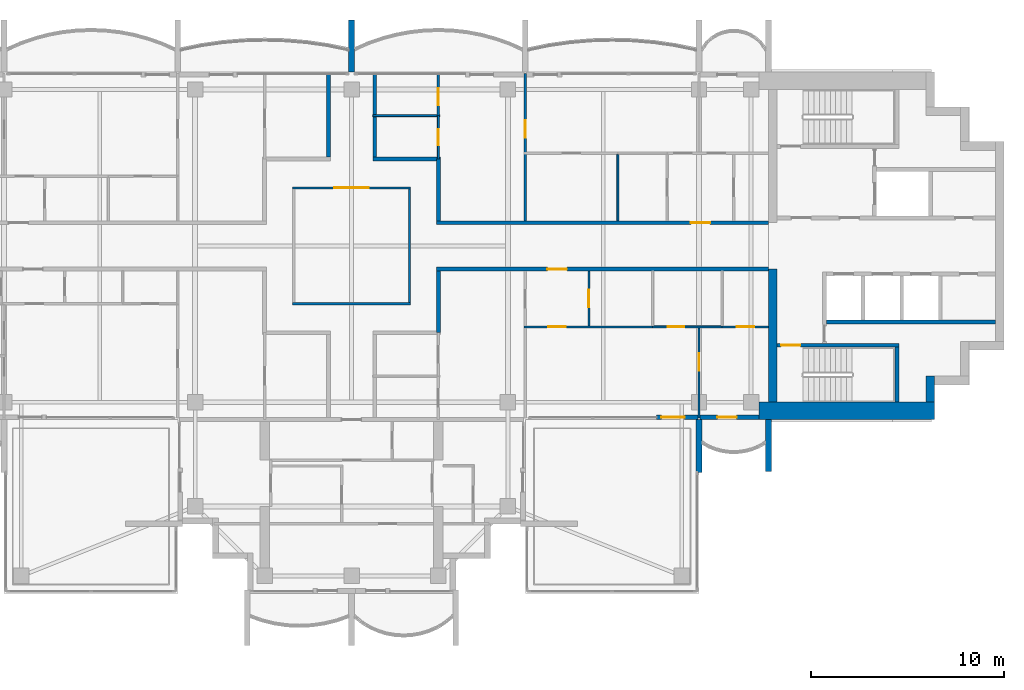
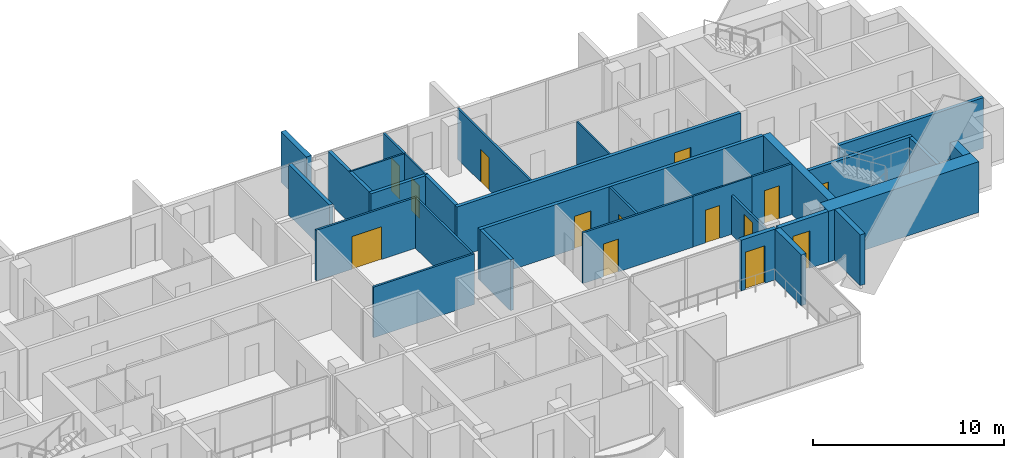
# One storey, part 10 of 16: 31 walls, 14 doors, 14 openings.
"""IFC4 building model written with IfcOpenShell, lengths in metres."""

from ifc_helpers import new_model, si_unit, direction, frame, frame_2d, origin, place, context, subcontext, project, spatial, rectangle, extrude, material, layer, layer_set, type_object, element, fill, save


model = new_model("IFC4")

# Units and contexts
model_context = context("Model", 3, precision=1e-05, world=origin(), true_north=direction((0.0, 1.0)))
body_context = subcontext(model_context, "Body", "Model", "MODEL_VIEW")
ifc_project = project(units=[si_unit("LENGTHUNIT", "METRE"), si_unit("AREAUNIT", "SQUARE_METRE"), si_unit("VOLUMEUNIT", "CUBIC_METRE"), si_unit("PLANEANGLEUNIT", "RADIAN"), si_unit("MASSUNIT", "GRAM", prefix="KILO")], contexts=[model_context])

# Site, building, storey
site_placement = place(None, origin())
site = spatial("IfcSite", under=ifc_project, at=site_placement, CompositionType="ELEMENT")
building_placement = place(site_placement, origin())
building = spatial("IfcBuilding", under=site, at=building_placement, Name="Perihelion Cross Residences", CompositionType="ELEMENT")
storey_placement = place(building_placement, frame((0.0, 0.0, 271.0)))
storey = spatial("IfcBuildingStorey", under=building, at=storey_placement, Name="L69", CompositionType="ELEMENT", Elevation=271.0)

# Wall, opening, door
ifc_material_1 = material(Name="Plasterboard partition")
ifc_layer_1 = layer(ifc_material_1, 0.199951171875)
ifc_layer_set_1 = layer_set([ifc_layer_1], Name="Apartment separation wall 200")
wall_type_1 = type_object("IfcWallType", Name="Apartment separation wall 200", PredefinedType="PARTITIONING", material=ifc_layer_set_1)
wall_1_placement = place(storey_placement, frame((4.39990234375, 1.199951171875, 0.0), z_axis=(0.0, 0.0, 1.0), x_axis=(1.0, 0.0, 0.0)))
wall_1 = element("IfcWall", 1, at=wall_1_placement, inside=storey, type_object=wall_type_1, Name="Partition L69 W005", PredefinedType="PARTITIONING", context=body_context, shape_type="SweptSolid", body=[
    extrude(rectangle(XDim=17.2001953125, YDim=0.199951171875, at=frame_2d((8.60009765625, 0.0))), origin(), (0.0, 0.0, 1.0), 3.25),
])
opening_1_placement = place(wall_1_placement, frame((13.175048828125, 0.0, 0.0)))
opening_1 = element("IfcOpeningElement", 2, at=opening_1_placement, cuts=wall_1, Name="Opening L69.A40", PredefinedType="OPENING", context=body_context, shape_type="SweptSolid", body=[
    extrude(rectangle(XDim=1.0, YDim=2.10009765625, at=frame_2d((0.5, 1.050048828125))), frame((0.0, 0.10986328125, 0.0), z_axis=(0.0, -1.0, 0.0), x_axis=(1.0, 0.0, 0.0)), (0.0, 0.0, 1.0), 0.219970703125),
])
ifc_material_2 = material(Name="Timber door leaf", Category="wood")
door_type_1 = type_object("IfcDoorType", Name="Flat entrance door 1000 x 2100", OperationType="SINGLE_SWING_LEFT", PredefinedType="DOOR", material=ifc_material_2)
door_1_placement = place(opening_1_placement, origin())
door_1 = element("IfcDoor", 3, at=door_1_placement, inside=storey, type_object=door_type_1, Name="Door L69.A40", OperationType="SINGLE_SWING_LEFT", OverallHeight=2.10009765625, OverallWidth=1.0, PredefinedType="DOOR", context=body_context, shape_type="SweptSolid", body=[
    extrude(rectangle(XDim=1.0, YDim=2.10009765625, at=frame_2d((0.5, 1.050048828125))), frame((0.0, 0.02490234375, 0.0), z_axis=(0.0, -1.0, 0.0), x_axis=(1.0, 0.0, 0.0)), (0.0, 0.0, 1.0), 0.050048828125),
])
fill(opening_1, door_1)

# Walls
wall_2_placement = place(storey_placement, frame((4.5, 4.5, 0.0), z_axis=(0.0, 0.0, 1.0), x_axis=(0.0, -1.0, 0.0)))
element("IfcWall", 4, at=wall_2_placement, inside=storey, type_object=wall_type_1, Name="Partition L69 W006", PredefinedType="PARTITIONING", context=body_context, shape_type="SweptSolid", body=[
    extrude(rectangle(XDim=3.199951171875, YDim=0.199951171875, at=frame_2d((1.60009765625, 0.0))), origin(), (0.0, 0.0, 1.0), 3.25),
])
wall_3_placement = place(storey_placement, frame((1.199951171875, 8.919921875, 0.0), z_axis=(0.0, 0.0, 1.0), x_axis=(0.0, -1.0, 0.0)))
element("IfcWall", 5, at=wall_3_placement, inside=storey, type_object=wall_type_1, Name="Partition L69 W007", PredefinedType="PARTITIONING", context=body_context, shape_type="SweptSolid", body=[
    extrude(rectangle(XDim=4.31982421875, YDim=0.199951171875, at=frame_2d((2.159912109375, 0.0))), origin(), (0.0, 0.0, 1.0), 3.25),
])
wall_4_placement = place(storey_placement, frame((1.10009765625, 4.5, 0.0), z_axis=(0.0, 0.0, 1.0), x_axis=(1.0, 0.0, 0.0)))
element("IfcWall", 6, at=wall_4_placement, inside=storey, type_object=wall_type_1, Name="Partition L69 W008", PredefinedType="PARTITIONING", context=body_context, shape_type="SweptSolid", body=[
    extrude(rectangle(XDim=3.5, YDim=0.199951171875, at=frame_2d((1.75, 0.0))), origin(), (0.0, 0.0, 1.0), 3.25),
])

# Wall, opening, door
wall_5_placement = place(storey_placement, frame((21.60009765625, -1.199951171875, 0.0), z_axis=(0.0, 0.0, 1.0), x_axis=(-1.0, 0.0, 0.0)))
wall_5 = element("IfcWall", 7, at=wall_5_placement, inside=storey, type_object=wall_type_1, Name="Partition L69 W009", PredefinedType="PARTITIONING", context=body_context, shape_type="SweptSolid", body=[
    extrude(rectangle(XDim=17.2001953125, YDim=0.199951171875, at=frame_2d((8.60009765625, 0.0))), origin(), (0.0, 0.0, 1.0), 3.25),
])
opening_2_placement = place(wall_5_placement, frame((10.449951171875, 0.0, 0.0)))
opening_2 = element("IfcOpeningElement", 8, at=opening_2_placement, cuts=wall_5, Name="Opening L69.A41", PredefinedType="OPENING", context=body_context, shape_type="SweptSolid", body=[
    extrude(rectangle(XDim=1.0, YDim=2.10009765625, at=frame_2d((0.5, 1.050048828125))), frame((0.0, 0.10986328125, 0.0), z_axis=(0.0, -1.0, 0.0), x_axis=(1.0, 0.0, 0.0)), (0.0, 0.0, 1.0), 0.219970703125),
])
door_2_placement = place(opening_2_placement, origin())
door_2 = element("IfcDoor", 9, at=door_2_placement, inside=storey, type_object=door_type_1, Name="Door L69.A41", OperationType="SINGLE_SWING_LEFT", OverallHeight=2.10009765625, OverallWidth=1.0, PredefinedType="DOOR", context=body_context, shape_type="SweptSolid", body=[
    extrude(rectangle(XDim=1.0, YDim=2.10009765625, at=frame_2d((0.5, 1.050048828125))), frame((0.0, 0.02490234375, 0.0), z_axis=(0.0, -1.0, 0.0), x_axis=(1.0, 0.0, 0.0)), (0.0, 0.0, 1.0), 0.050048828125),
])
fill(opening_2, door_2)

# Walls
wall_6_placement = place(storey_placement, frame((4.5, -1.300048828125, 0.0), z_axis=(0.0, 0.0, 1.0), x_axis=(0.0, -1.0, 0.0)))
element("IfcWall", 10, at=wall_6_placement, inside=storey, type_object=wall_type_1, Name="Partition L69 W010", PredefinedType="PARTITIONING", context=body_context, shape_type="SweptSolid", body=[
    extrude(rectangle(XDim=3.199951171875, YDim=0.199951171875, at=frame_2d((1.60009765625, 0.0))), origin(), (0.0, 0.0, 1.0), 3.25),
])
wall_7_placement = place(storey_placement, frame((-1.199951171875, 4.60009765625, 0.0), z_axis=(0.0, 0.0, 1.0), x_axis=(0.0, 1.0, 0.0)))
element("IfcWall", 11, at=wall_7_placement, inside=storey, type_object=wall_type_1, Name="Partition L69 W016", PredefinedType="PARTITIONING", context=body_context, shape_type="SweptSolid", body=[
    extrude(rectangle(XDim=4.31982421875, YDim=0.199951171875, at=frame_2d((2.159912109375, 0.0))), origin(), (0.0, 0.0, 1.0), 3.25),
])

# Wall, opening, door
ifc_material_3 = material(Name="Concrete C30/37, bronze-clad", Category="concrete")
ifc_layer_2 = layer(ifc_material_3, 0.25)
ifc_layer_set_2 = layer_set([ifc_layer_2], Name="Bronze-clad pier wall 250")
wall_type_2 = type_object("IfcWallType", Name="Bronze-clad pier wall 250", PredefinedType="SOLIDWALL", material=ifc_layer_set_2)
wall_8_placement = place(storey_placement, frame((15.800048828125, -8.875, 0.0), z_axis=(0.0, 0.0, 1.0), x_axis=(1.0, 0.0, 0.0)))
wall_8 = element("IfcWall", 12, at=wall_8_placement, inside=storey, type_object=wall_type_2, Name="Wall FW1 L69 east side south bay 1 pier", PredefinedType="SOLIDWALL", context=body_context, shape_type="SweptSolid", body=[
    extrude(rectangle(XDim=2.139892578125, YDim=0.25, at=frame_2d((1.06982421875, 0.0))), origin(), (0.0, 0.0, 1.0), 3.25),
])
opening_3_placement = place(wall_8_placement, frame((0.25, 0.0, 0.0)))
opening_3 = element("IfcOpeningElement", 13, at=opening_3_placement, cuts=wall_8, Name="Opening L69.E13", PredefinedType="OPENING", context=body_context, shape_type="SweptSolid", body=[
    extrude(rectangle(XDim=1.199951171875, YDim=2.39990234375, at=frame_2d((0.60009765625, 1.199951171875))), frame((0.0, 0.135009765625, 0.0), z_axis=(0.0, -1.0, 0.0), x_axis=(1.0, 0.0, 0.0)), (0.0, 0.0, 1.0), 0.27001953125),
])
ifc_material_4 = material(Name="Bronze anodised aluminium, glazed", Category="aluminium")
door_type_2 = type_object("IfcDoorType", Name="Balcony door 1200 x 2400", OperationType="NOTDEFINED", PredefinedType="DOOR", material=ifc_material_4)
door_3_placement = place(opening_3_placement, origin())
door_3 = element("IfcDoor", 14, at=door_3_placement, inside=storey, type_object=door_type_2, Name="Door L69.E13 east side south bay 1", OperationType="SINGLE_SWING_LEFT", OverallHeight=2.39990234375, OverallWidth=1.199951171875, PredefinedType="DOOR", context=body_context, shape_type="SweptSolid", body=[
    extrude(rectangle(XDim=1.199951171875, YDim=2.39990234375, at=frame_2d((0.60009765625, 1.199951171875))), frame((0.0, 0.02490234375, 0.0), z_axis=(0.0, -1.0, 0.0), x_axis=(1.0, 0.0, 0.0)), (0.0, 0.0, 1.0), 0.050048828125),
])
fill(opening_3, door_3)

wall_9_placement = place(storey_placement, frame((18.06005859375, -8.875, 0.0), z_axis=(0.0, 0.0, 1.0), x_axis=(1.0, 0.0, 0.0)))
wall_9 = element("IfcWall", 15, at=wall_9_placement, inside=storey, type_object=wall_type_2, Name="Wall FW1 L69 east side south bay 2 pier", PredefinedType="SOLIDWALL", context=body_context, shape_type="SweptSolid", body=[
    extrude(rectangle(XDim=3.0400390625, YDim=0.25, at=frame_2d((1.52001953125, 0.0))), origin(), (0.0, 0.0, 1.0), 3.25),
])
opening_4_placement = place(wall_9_placement, frame((0.889892578125, 0.0, 0.0)))
opening_4 = element("IfcOpeningElement", 16, at=opening_4_placement, cuts=wall_9, Name="Opening L69.E14", PredefinedType="OPENING", context=body_context, shape_type="SweptSolid", body=[
    extrude(rectangle(XDim=1.0, YDim=2.39990234375, at=frame_2d((0.5, 1.199951171875))), frame((0.0, 0.135009765625, 0.0), z_axis=(0.0, -1.0, 0.0), x_axis=(1.0, 0.0, 0.0)), (0.0, 0.0, 1.0), 0.27001953125),
])
ifc_material_5 = material(Name="Bronze anodised aluminium, glazed", Category="aluminium")
door_type_3 = type_object("IfcDoorType", Name="Balcony door 1000 x 2400", OperationType="NOTDEFINED", PredefinedType="DOOR", material=ifc_material_5)
door_4_placement = place(opening_4_placement, origin())
door_4 = element("IfcDoor", 17, at=door_4_placement, inside=storey, type_object=door_type_3, Name="Door L69.E14 east side south bay 2", OperationType="SINGLE_SWING_RIGHT", OverallHeight=2.39990234375, OverallWidth=1.0, PredefinedType="DOOR", context=body_context, shape_type="SweptSolid", body=[
    extrude(rectangle(XDim=1.0, YDim=2.39990234375, at=frame_2d((0.5, 1.199951171875))), frame((0.0, 0.02490234375, 0.0), z_axis=(0.0, -1.0, 0.0), x_axis=(1.0, 0.0, 0.0)), (0.0, 0.0, 1.0), 0.050048828125),
])
fill(opening_4, door_4)

# Walls
ifc_material_6 = material(Name="Concrete C60/75", Category="concrete")
ifc_layer_3 = layer(ifc_material_6, 0.449951171875)
ifc_layer_set_3 = layer_set([ifc_layer_3], Name="Core wall, inner 450")
wall_type_3 = type_object("IfcWallType", Name="Core wall, inner 450", PredefinedType="SHEAR", material=ifc_layer_set_3)
wall_10_placement = place(storey_placement, frame((21.824951171875, -8.10009765625, 0.0), z_axis=(0.0, 0.0, 1.0), x_axis=(0.0, 1.0, 0.0)))
element("IfcWall", 18, at=wall_10_placement, inside=storey, type_object=wall_type_3, Name="East core core wall, inner", PredefinedType="SHEAR", context=body_context, shape_type="SweptSolid", body=[
    extrude(rectangle(XDim=6.900146484375, YDim=0.449951171875, at=frame_2d((3.4501953125, 0.0))), origin(), (0.0, 0.0, 1.0), 3.25),
])
ifc_material_7 = material(Name="Concrete C60/75", Category="concrete")
ifc_layer_4 = layer(ifc_material_7, 0.449951171875)
ifc_layer_set_4 = layer_set([ifc_layer_4], Name="Core wall, outer 450")
wall_type_4 = type_object("IfcWallType", Name="Core wall, outer 450", PredefinedType="SHEAR", material=ifc_layer_set_4)
wall_11_placement = place(storey_placement, frame((29.97509765625, -8.10009765625, 0.0), z_axis=(0.0, 0.0, 1.0), x_axis=(0.0, 1.0, 0.0)))
element("IfcWall", 19, at=wall_11_placement, inside=storey, type_object=wall_type_4, Name="East core core wall, outer", PredefinedType="SHEAR", context=body_context, shape_type="SweptSolid", body=[
    extrude(rectangle(XDim=1.35009765625, YDim=0.449951171875, at=frame_2d((0.675048828125, 0.0))), origin(), (0.0, 0.0, 1.0), 3.25),
])
ifc_material_8 = material(Name="Concrete C60/75", Category="concrete")
ifc_layer_5 = layer(ifc_material_8, 0.89990234375)
ifc_layer_set_5 = layer_set([ifc_layer_5], Name="Core wall, outer 900")
wall_type_5 = type_object("IfcWallType", Name="Core wall, outer 900", PredefinedType="SHEAR", material=ifc_layer_set_5)
wall_12_placement = place(storey_placement, frame((21.10009765625, -8.550048828125, 0.0), z_axis=(0.0, 0.0, 1.0), x_axis=(1.0, 0.0, 0.0)))
element("IfcWall", 20, at=wall_12_placement, inside=storey, type_object=wall_type_5, Name="East core core wall, outer", PredefinedType="SHEAR", context=body_context, shape_type="SweptSolid", body=[
    extrude(rectangle(XDim=9.099853515625, YDim=0.89990234375, at=frame_2d((4.5498046875, 0.0))), origin(), (0.0, 0.0, 1.0), 3.25),
])
ifc_material_9 = material(Name="Plasterboard partition")
ifc_layer_6 = layer(ifc_material_9, 0.1201171875)
ifc_layer_set_6 = layer_set([ifc_layer_6], Name="Partition wall 120")
wall_type_6 = type_object("IfcWallType", Name="Partition wall 120", PredefinedType="PARTITIONING", material=ifc_layer_set_6)
wall_13_placement = place(storey_placement, frame((-3.06005859375, -3.0, 0.0), z_axis=(0.0, 0.0, 1.0), x_axis=(1.0, 0.0, 0.0)))
element("IfcWall", 21, at=wall_13_placement, inside=storey, type_object=wall_type_6, Name="Partition L69 W001", PredefinedType="PARTITIONING", context=body_context, shape_type="SweptSolid", body=[
    extrude(rectangle(XDim=6.1201171875, YDim=0.1201171875, at=frame_2d((3.06005859375, 0.0))), origin(), (0.0, 0.0, 1.0), 3.25),
])
wall_14_placement = place(storey_placement, frame((3.0, -2.93994140625, 0.0), z_axis=(0.0, 0.0, 1.0), x_axis=(0.0, 1.0, 0.0)))
element("IfcWall", 22, at=wall_14_placement, inside=storey, type_object=wall_type_6, Name="Partition L69 W002", PredefinedType="PARTITIONING", context=body_context, shape_type="SweptSolid", body=[
    extrude(rectangle(XDim=5.8798828125, YDim=0.1201171875, at=frame_2d((2.93994140625, 0.0))), origin(), (0.0, 0.0, 1.0), 3.25),
])

# Wall, opening, door
wall_15_placement = place(storey_placement, frame((3.06005859375, 3.0, 0.0), z_axis=(0.0, 0.0, 1.0), x_axis=(-1.0, 0.0, 0.0)))
wall_15 = element("IfcWall", 23, at=wall_15_placement, inside=storey, type_object=wall_type_6, Name="Partition L69 W003", PredefinedType="PARTITIONING", context=body_context, shape_type="SweptSolid", body=[
    extrude(rectangle(XDim=6.1201171875, YDim=0.1201171875, at=frame_2d((3.06005859375, 0.0))), origin(), (0.0, 0.0, 1.0), 3.25),
])
opening_5_placement = place(wall_15_placement, frame((2.159912109375, 0.0, 0.0)))
opening_5 = element("IfcOpeningElement", 24, at=opening_5_placement, cuts=wall_15, Name="Opening L69.A01", PredefinedType="OPENING", context=body_context, shape_type="SweptSolid", body=[
    extrude(rectangle(XDim=1.800048828125, YDim=2.10009765625, at=frame_2d((0.89990234375, 1.050048828125))), frame((0.0, 0.070068359375, 0.0), z_axis=(0.0, -1.0, 0.0), x_axis=(1.0, 0.0, 0.0)), (0.0, 0.0, 1.0), 0.14013671875),
])
ifc_material_10 = material(Name="Glazed timber door leaf", Category="wood")
door_type_4 = type_object("IfcDoorType", Name="Interior double leaf door 1800 x 2100", OperationType="DOUBLE_DOOR_SINGLE_SWING", PredefinedType="DOOR", material=ifc_material_10)
door_5_placement = place(opening_5_placement, origin())
door_5 = element("IfcDoor", 25, at=door_5_placement, inside=storey, type_object=door_type_4, Name="Door L69.A01", OperationType="SINGLE_SWING_LEFT", OverallHeight=2.10009765625, OverallWidth=1.800048828125, PredefinedType="DOOR", context=body_context, shape_type="SweptSolid", body=[
    extrude(rectangle(XDim=1.800048828125, YDim=2.10009765625, at=frame_2d((0.89990234375, 1.050048828125))), frame((0.0, 0.02490234375, 0.0), z_axis=(0.0, -1.0, 0.0), x_axis=(1.0, 0.0, 0.0)), (0.0, 0.0, 1.0), 0.050048828125),
])
fill(opening_5, door_5)

wall_16_placement = place(storey_placement, frame((9.0, 1.300048828125, 0.0), z_axis=(0.0, 0.0, 1.0), x_axis=(0.0, 1.0, 0.0)))
wall_16 = element("IfcWall", 26, at=wall_16_placement, inside=storey, type_object=wall_type_6, Name="Partition L69 W024", PredefinedType="PARTITIONING", context=body_context, shape_type="SweptSolid", body=[
    extrude(rectangle(XDim=7.619873046875, YDim=0.1201171875, at=frame_2d((3.81005859375, 0.0))), origin(), (0.0, 0.0, 1.0), 3.25),
])
opening_6_placement = place(wall_16_placement, frame((4.300048828125, 0.0, 0.0)))
opening_6 = element("IfcOpeningElement", 27, at=opening_6_placement, cuts=wall_16, Name="Opening L69.A04", PredefinedType="OPENING", context=body_context, shape_type="SweptSolid", body=[
    extrude(rectangle(XDim=0.89990234375, YDim=2.10009765625, at=frame_2d((0.449951171875, 1.050048828125))), frame((0.0, 0.070068359375, 0.0), z_axis=(0.0, -1.0, 0.0), x_axis=(1.0, 0.0, 0.0)), (0.0, 0.0, 1.0), 0.14013671875),
])
ifc_material_11 = material(Name="Timber door leaf", Category="wood")
door_type_5 = type_object("IfcDoorType", Name="Interior room door 900 x 2100", OperationType="SINGLE_SWING_LEFT", PredefinedType="DOOR", material=ifc_material_11)
door_6_placement = place(opening_6_placement, origin())
door_6 = element("IfcDoor", 28, at=door_6_placement, inside=storey, type_object=door_type_5, Name="Door L69.A04", OperationType="SINGLE_SWING_RIGHT", OverallHeight=2.10009765625, OverallWidth=0.89990234375, PredefinedType="DOOR", context=body_context, shape_type="SweptSolid", body=[
    extrude(rectangle(XDim=0.89990234375, YDim=2.10009765625, at=frame_2d((0.449951171875, 1.050048828125))), frame((0.0, 0.02490234375, 0.0), z_axis=(0.0, -1.0, 0.0), x_axis=(1.0, 0.0, 0.0)), (0.0, 0.0, 1.0), 0.050048828125),
])
fill(opening_6, door_6)

wall_17_placement = place(storey_placement, frame((4.5, 6.75, 0.0), z_axis=(0.0, 0.0, 1.0), x_axis=(0.0, 1.0, 0.0)))
wall_17 = element("IfcWall", 29, at=wall_17_placement, inside=storey, type_object=wall_type_6, Name="Partition L69 W031", PredefinedType="PARTITIONING", context=body_context, shape_type="SweptSolid", body=[
    extrude(rectangle(XDim=2.169921875, YDim=0.1201171875, at=frame_2d((1.0849609375, 0.0))), origin(), (0.0, 0.0, 1.0), 3.25),
])
opening_7_placement = place(wall_17_placement, frame((0.52490234375, 0.0, 0.0)))
opening_7 = element("IfcOpeningElement", 30, at=opening_7_placement, cuts=wall_17, Name="Opening L69.A06", PredefinedType="OPENING", context=body_context, shape_type="SweptSolid", body=[
    extrude(rectangle(XDim=0.89990234375, YDim=2.10009765625, at=frame_2d((0.449951171875, 1.050048828125))), frame((0.0, 0.070068359375, 0.0), z_axis=(0.0, -1.0, 0.0), x_axis=(1.0, 0.0, 0.0)), (0.0, 0.0, 1.0), 0.14013671875),
])
door_7_placement = place(opening_7_placement, origin())
door_7 = element("IfcDoor", 31, at=door_7_placement, inside=storey, type_object=door_type_5, Name="Door L69.A06", OperationType="SINGLE_SWING_RIGHT", OverallHeight=2.10009765625, OverallWidth=0.89990234375, PredefinedType="DOOR", context=body_context, shape_type="SweptSolid", body=[
    extrude(rectangle(XDim=0.89990234375, YDim=2.10009765625, at=frame_2d((0.449951171875, 1.050048828125))), frame((0.0, 0.02490234375, 0.0), z_axis=(0.0, -1.0, 0.0), x_axis=(1.0, 0.0, 0.0)), (0.0, 0.0, 1.0), 0.050048828125),
])
fill(opening_7, door_7)

wall_18_placement = place(storey_placement, frame((12.300048828125, -1.300048828125, 0.0), z_axis=(0.0, 0.0, 1.0), x_axis=(0.0, -1.0, 0.0)))
wall_18 = element("IfcWall", 32, at=wall_18_placement, inside=storey, type_object=wall_type_6, Name="Partition L69 W033", PredefinedType="PARTITIONING", context=body_context, shape_type="SweptSolid", body=[
    extrude(rectangle(XDim=2.83984375, YDim=0.1201171875, at=frame_2d((1.419921875, 0.0))), origin(), (0.0, 0.0, 1.0), 3.25),
])
opening_8_placement = place(wall_18_placement, frame((0.969970703125, 0.0, 0.0)))
opening_8 = element("IfcOpeningElement", 33, at=opening_8_placement, cuts=wall_18, Name="Opening L69.A13", PredefinedType="OPENING", context=body_context, shape_type="SweptSolid", body=[
    extrude(rectangle(XDim=0.89990234375, YDim=2.10009765625, at=frame_2d((0.449951171875, 1.050048828125))), frame((0.0, 0.070068359375, 0.0), z_axis=(0.0, -1.0, 0.0), x_axis=(1.0, 0.0, 0.0)), (0.0, 0.0, 1.0), 0.14013671875),
])
door_8_placement = place(opening_8_placement, origin())
door_8 = element("IfcDoor", 34, at=door_8_placement, inside=storey, type_object=door_type_5, Name="Door L69.A13", OperationType="SINGLE_SWING_LEFT", OverallHeight=2.10009765625, OverallWidth=0.89990234375, PredefinedType="DOOR", context=body_context, shape_type="SweptSolid", body=[
    extrude(rectangle(XDim=0.89990234375, YDim=2.10009765625, at=frame_2d((0.449951171875, 1.050048828125))), frame((0.0, 0.02490234375, 0.0), z_axis=(0.0, -1.0, 0.0), x_axis=(1.0, 0.0, 0.0)), (0.0, 0.0, 1.0), 0.050048828125),
])
fill(opening_8, door_8)

wall_19_placement = place(storey_placement, frame((15.60009765625, -4.199951171875, 0.0), z_axis=(0.0, 0.0, 1.0), x_axis=(-1.0, 0.0, 0.0)))
wall_19 = element("IfcWall", 35, at=wall_19_placement, inside=storey, type_object=wall_type_6, Name="Partition L69 W034", PredefinedType="PARTITIONING", context=body_context, shape_type="SweptSolid", body=[
    extrude(rectangle(XDim=6.66015625, YDim=0.1201171875, at=frame_2d((3.330078125, 0.0))), origin(), (0.0, 0.0, 1.0), 3.25),
])
opening_9_placement = place(wall_19_placement, frame((4.5, 0.0, 0.0)))
opening_9 = element("IfcOpeningElement", 36, at=opening_9_placement, cuts=wall_19, Name="Opening L69.A15", PredefinedType="OPENING", context=body_context, shape_type="SweptSolid", body=[
    extrude(rectangle(XDim=0.89990234375, YDim=2.10009765625, at=frame_2d((0.449951171875, 1.050048828125))), frame((0.0, 0.070068359375, 0.0), z_axis=(0.0, -1.0, 0.0), x_axis=(1.0, 0.0, 0.0)), (0.0, 0.0, 1.0), 0.14013671875),
])
door_9_placement = place(opening_9_placement, origin())
door_9 = element("IfcDoor", 37, at=door_9_placement, inside=storey, type_object=door_type_5, Name="Door L69.A15", OperationType="SINGLE_SWING_LEFT", OverallHeight=2.10009765625, OverallWidth=0.89990234375, PredefinedType="DOOR", context=body_context, shape_type="SweptSolid", body=[
    extrude(rectangle(XDim=0.89990234375, YDim=2.10009765625, at=frame_2d((0.449951171875, 1.050048828125))), frame((0.0, 0.02490234375, 0.0), z_axis=(0.0, -1.0, 0.0), x_axis=(1.0, 0.0, 0.0)), (0.0, 0.0, 1.0), 0.050048828125),
])
fill(opening_9, door_9)

wall_20_placement = place(storey_placement, frame((21.60009765625, -4.199951171875, 0.0), z_axis=(0.0, 0.0, 1.0), x_axis=(-1.0, 0.0, 0.0)))
wall_20 = element("IfcWall", 38, at=wall_20_placement, inside=storey, type_object=wall_type_6, Name="Partition L69 W039", PredefinedType="PARTITIONING", context=body_context, shape_type="SweptSolid", body=[
    extrude(rectangle(XDim=2.400146484375, YDim=0.1201171875, at=frame_2d((1.2001953125, 0.0))), origin(), (0.0, 0.0, 1.0), 3.25),
])
opening_10_placement = place(wall_20_placement, frame((0.75, 0.0, 0.0)))
opening_10 = element("IfcOpeningElement", 39, at=opening_10_placement, cuts=wall_20, Name="Opening L69.A16", PredefinedType="OPENING", context=body_context, shape_type="SweptSolid", body=[
    extrude(rectangle(XDim=0.89990234375, YDim=2.10009765625, at=frame_2d((0.449951171875, 1.050048828125))), frame((0.0, 0.070068359375, 0.0), z_axis=(0.0, -1.0, 0.0), x_axis=(1.0, 0.0, 0.0)), (0.0, 0.0, 1.0), 0.14013671875),
])
door_10_placement = place(opening_10_placement, origin())
door_10 = element("IfcDoor", 40, at=door_10_placement, inside=storey, type_object=door_type_5, Name="Door L69.A16", OperationType="SINGLE_SWING_RIGHT", OverallHeight=2.10009765625, OverallWidth=0.89990234375, PredefinedType="DOOR", context=body_context, shape_type="SweptSolid", body=[
    extrude(rectangle(XDim=0.89990234375, YDim=2.10009765625, at=frame_2d((0.449951171875, 1.050048828125))), frame((0.0, 0.02490234375, 0.0), z_axis=(0.0, -1.0, 0.0), x_axis=(1.0, 0.0, 0.0)), (0.0, 0.0, 1.0), 0.050048828125),
])
fill(opening_10, door_10)

wall_21_placement = place(storey_placement, frame((18.0, -4.25, 0.0), z_axis=(0.0, 0.0, 1.0), x_axis=(0.0, -1.0, 0.0)))
wall_21 = element("IfcWall", 41, at=wall_21_placement, inside=storey, type_object=wall_type_6, Name="Partition L69 W040", PredefinedType="PARTITIONING", context=body_context, shape_type="SweptSolid", body=[
    extrude(rectangle(XDim=4.669921875, YDim=0.1201171875, at=frame_2d((2.3349609375, 0.0))), origin(), (0.0, 0.0, 1.0), 2.49609375),
])
opening_11_placement = place(wall_21_placement, frame((1.324951171875, 0.0, 0.0)))
opening_11 = element("IfcOpeningElement", 42, at=opening_11_placement, cuts=wall_21, Name="Opening L69.A10", PredefinedType="OPENING", context=body_context, shape_type="SweptSolid", body=[
    extrude(rectangle(XDim=0.89990234375, YDim=2.10009765625, at=frame_2d((0.449951171875, 1.050048828125))), frame((0.0, 0.070068359375, 0.0), z_axis=(0.0, -1.0, 0.0), x_axis=(1.0, 0.0, 0.0)), (0.0, 0.0, 1.0), 0.14013671875),
])
door_11_placement = place(opening_11_placement, origin())
door_11 = element("IfcDoor", 43, at=door_11_placement, inside=storey, type_object=door_type_5, Name="Door L69.A10", OperationType="SINGLE_SWING_LEFT", OverallHeight=2.10009765625, OverallWidth=0.89990234375, PredefinedType="DOOR", context=body_context, shape_type="SweptSolid", body=[
    extrude(rectangle(XDim=0.89990234375, YDim=2.10009765625, at=frame_2d((0.449951171875, 1.050048828125))), frame((0.0, 0.02490234375, 0.0), z_axis=(0.0, -1.0, 0.0), x_axis=(1.0, 0.0, 0.0)), (0.0, 0.0, 1.0), 0.050048828125),
])
fill(opening_11, door_11)

# Walls
ifc_material_12 = material(Name="Precast concrete C50/60", Category="concrete")
ifc_layer_7 = layer(ifc_material_12, 0.300048828125)
ifc_layer_set_7 = layer_set([ifc_layer_7], Name="Precast concrete C50/60 blade wall 300")
wall_type_7 = type_object("IfcWallType", Name="Precast concrete C50/60 blade wall 300", PredefinedType="SOLIDWALL", material=ifc_layer_set_7)
wall_22_placement = place(storey_placement, frame((0.0, 9.0, 0.0), z_axis=(0.0, 0.0, 1.0), x_axis=(0.0, 1.0, 0.0)))
element("IfcWall", 44, at=wall_22_placement, inside=storey, type_object=wall_type_7, Name="Wall BL1 L69 no. 9", PredefinedType="SOLIDWALL", context=body_context, shape_type="SweptSolid", body=[
    extrude(rectangle(XDim=2.699951171875, YDim=0.300048828125, at=frame_2d((1.35009765625, 0.0))), origin(), (0.0, 0.0, 1.0), 3.25),
])
wall_23_placement = place(storey_placement, frame((18.0, -9.0, 0.0), z_axis=(0.0, 0.0, 1.0), x_axis=(0.0, -1.0, 0.0)))
element("IfcWall", 45, at=wall_23_placement, inside=storey, type_object=wall_type_7, Name="Wall BL1 L69 no. 10", PredefinedType="SOLIDWALL", context=body_context, shape_type="SweptSolid", body=[
    extrude(rectangle(XDim=2.739990234375, YDim=0.300048828125, at=frame_2d((1.3701171875, 0.0))), origin(), (0.0, 0.0, 1.0), 3.25),
])
wall_24_placement = place(storey_placement, frame((21.60009765625, -9.0, 0.0), z_axis=(0.0, 0.0, 1.0), x_axis=(0.0, -1.0, 0.0)))
element("IfcWall", 46, at=wall_24_placement, inside=storey, type_object=wall_type_7, Name="Wall BL1 L69 no. 12", PredefinedType="SOLIDWALL", context=body_context, shape_type="SweptSolid", body=[
    extrude(rectangle(XDim=2.699951171875, YDim=0.300048828125, at=frame_2d((1.35009765625, 0.0))), origin(), (0.0, 0.0, 1.0), 3.25),
])
ifc_material_13 = material(Name="Concrete C50/60", Category="concrete")
ifc_layer_8 = layer(ifc_material_13, 0.199951171875)
ifc_layer_set_8 = layer_set([ifc_layer_8], Name="Shaft wall 200")
wall_type_8 = type_object("IfcWallType", Name="Shaft wall 200", PredefinedType="SOLIDWALL", material=ifc_layer_set_8)
wall_25_placement = place(storey_placement, frame((24.60009765625, -3.949951171875, 0.0), z_axis=(0.0, 0.0, 1.0), x_axis=(1.0, 0.0, 0.0)))
element("IfcWall", 47, at=wall_25_placement, inside=storey, type_object=wall_type_8, Name="East core shaft wall", PredefinedType="SOLIDWALL", context=body_context, shape_type="SweptSolid", body=[
    extrude(rectangle(XDim=8.75, YDim=0.199951171875, at=frame_2d((4.375, 0.0))), origin(), (0.0, 0.0, 1.0), 3.25),
])

# Wall, opening, door
ifc_material_14 = material(Name="Concrete C50/60", Category="concrete")
ifc_layer_9 = layer(ifc_material_14, 0.199951171875)
ifc_layer_set_9 = layer_set([ifc_layer_9], Name="Stair wall 200")
wall_type_9 = type_object("IfcWallType", Name="Stair wall 200", PredefinedType="SOLIDWALL", material=ifc_layer_set_9)
wall_26_placement = place(storey_placement, frame((22.050048828125, -5.14990234375, 0.0), z_axis=(0.0, 0.0, 1.0), x_axis=(1.0, 0.0, 0.0)))
wall_26 = element("IfcWall", 48, at=wall_26_placement, inside=storey, type_object=wall_type_9, Name="East core stair wall", PredefinedType="SOLIDWALL", context=body_context, shape_type="SweptSolid", body=[
    extrude(rectangle(XDim=6.300048828125, YDim=0.199951171875, at=frame_2d((3.14990234375, 0.0))), origin(), (0.0, 0.0, 1.0), 3.25),
])
opening_12_placement = place(wall_26_placement, frame((0.199951171875, 0.0, 0.0)))
opening_12 = element("IfcOpeningElement", 49, at=opening_12_placement, cuts=wall_26, Name="Opening L69.C05", PredefinedType="OPENING", context=body_context, shape_type="SweptSolid", body=[
    extrude(rectangle(XDim=1.0, YDim=2.10009765625, at=frame_2d((0.5, 1.050048828125))), frame((0.0, 0.10986328125, 0.0), z_axis=(0.0, -1.0, 0.0), x_axis=(1.0, 0.0, 0.0)), (0.0, 0.0, 1.0), 0.219970703125),
])
ifc_material_15 = material(Name="Steel, powder coated", Category="steel")
door_type_6 = type_object("IfcDoorType", Name="Stair door 1000", OperationType="SINGLE_SWING_LEFT", PredefinedType="DOOR", material=ifc_material_15)
door_12_placement = place(opening_12_placement, origin())
door_12 = element("IfcDoor", 50, at=door_12_placement, inside=storey, type_object=door_type_6, Name="East core stair door", OperationType="SINGLE_SWING_LEFT", OverallHeight=2.10009765625, OverallWidth=1.0, PredefinedType="DOOR", context=body_context, shape_type="SweptSolid", body=[
    extrude(rectangle(XDim=1.0, YDim=2.10009765625, at=frame_2d((0.5, 1.050048828125))), frame((0.0, 0.02490234375, 0.0), z_axis=(0.0, -1.0, 0.0), x_axis=(1.0, 0.0, 0.0)), (0.0, 0.0, 1.0), 0.050048828125),
])
fill(opening_12, door_12)

# Walls
wall_27_placement = place(storey_placement, frame((28.25, -8.10009765625, 0.0), z_axis=(0.0, 0.0, 1.0), x_axis=(0.0, 1.0, 0.0)))
element("IfcWall", 51, at=wall_27_placement, inside=storey, type_object=wall_type_9, Name="East core stair wall", PredefinedType="SOLIDWALL", context=body_context, shape_type="SweptSolid", body=[
    extrude(rectangle(XDim=2.85009765625, YDim=0.199951171875, at=frame_2d((1.425048828125, 0.0))), origin(), (0.0, 0.0, 1.0), 3.25),
])
ifc_material_16 = material(Name="Plasterboard partition")
ifc_layer_10 = layer(ifc_material_16, 0.10009765625)
ifc_layer_set_10 = layer_set([ifc_layer_10], Name="Wet room wall 100")
wall_type_10 = type_object("IfcWallType", Name="Wet room wall 100", PredefinedType="PARTITIONING", material=ifc_layer_set_10)
wall_28_placement = place(storey_placement, frame((13.800048828125, 4.739990234375, 0.0), z_axis=(0.0, 0.0, 1.0), x_axis=(0.0, -1.0, 0.0)))
element("IfcWall", 52, at=wall_28_placement, inside=storey, type_object=wall_type_10, Name="Partition L69 W022", PredefinedType="PARTITIONING", context=body_context, shape_type="SweptSolid", body=[
    extrude(rectangle(XDim=3.43994140625, YDim=0.10009765625, at=frame_2d((1.719970703125, 0.0))), origin(), (0.0, 0.0, 1.0), 3.25),
])

# Wall, opening, door
wall_29_placement = place(storey_placement, frame((4.5, 4.5, 0.0), z_axis=(0.0, 0.0, 1.0), x_axis=(0.0, 1.0, 0.0)))
wall_29 = element("IfcWall", 53, at=wall_29_placement, inside=storey, type_object=wall_type_10, Name="Partition L69 W030", PredefinedType="PARTITIONING", context=body_context, shape_type="SweptSolid", body=[
    extrude(rectangle(XDim=2.25, YDim=0.10009765625, at=frame_2d((1.125, 0.0))), origin(), (0.0, 0.0, 1.0), 3.25),
])
opening_13_placement = place(wall_29_placement, frame((0.699951171875, 0.0, 0.0)))
opening_13 = element("IfcOpeningElement", 54, at=opening_13_placement, cuts=wall_29, Name="Opening L69.A03", PredefinedType="OPENING", context=body_context, shape_type="SweptSolid", body=[
    extrude(rectangle(XDim=0.85009765625, YDim=2.10009765625, at=frame_2d((0.425048828125, 1.050048828125))), frame((0.0, 0.06005859375, 0.0), z_axis=(0.0, -1.0, 0.0), x_axis=(1.0, 0.0, 0.0)), (0.0, 0.0, 1.0), 0.1201171875),
])
ifc_material_17 = material(Name="Timber door leaf", Category="wood")
door_type_7 = type_object("IfcDoorType", Name="Interior bathroom door 850 x 2100", OperationType="SINGLE_SWING_LEFT", PredefinedType="DOOR", material=ifc_material_17)
door_13_placement = place(opening_13_placement, origin())
door_13 = element("IfcDoor", 55, at=door_13_placement, inside=storey, type_object=door_type_7, Name="Door L69.A03", OperationType="SINGLE_SWING_LEFT", OverallHeight=2.10009765625, OverallWidth=0.85009765625, PredefinedType="DOOR", context=body_context, shape_type="SweptSolid", body=[
    extrude(rectangle(XDim=0.85009765625, YDim=2.10009765625, at=frame_2d((0.425048828125, 1.050048828125))), frame((0.0, 0.02490234375, 0.0), z_axis=(0.0, -1.0, 0.0), x_axis=(1.0, 0.0, 0.0)), (0.0, 0.0, 1.0), 0.050048828125),
])
fill(opening_13, door_13)

# Wall
wall_30_placement = place(storey_placement, frame((1.10009765625, 6.75, 0.0), z_axis=(0.0, 0.0, 1.0), x_axis=(1.0, 0.0, 0.0)))
element("IfcWall", 56, at=wall_30_placement, inside=storey, type_object=wall_type_10, Name="Partition L69 W032", PredefinedType="PARTITIONING", context=body_context, shape_type="SweptSolid", body=[
    extrude(rectangle(XDim=3.4599609375, YDim=0.10009765625, at=frame_2d((1.72998046875, 0.0))), origin(), (0.0, 0.0, 1.0), 3.25),
])

# Wall, opening, door
wall_31_placement = place(storey_placement, frame((19.199951171875, -4.199951171875, 0.0), z_axis=(0.0, 0.0, 1.0), x_axis=(-1.0, 0.0, 0.0)))
wall_31 = element("IfcWall", 57, at=wall_31_placement, inside=storey, type_object=wall_type_10, Name="Partition L69 W038", PredefinedType="PARTITIONING", context=body_context, shape_type="SweptSolid", body=[
    extrude(rectangle(XDim=3.599853515625, YDim=0.10009765625, at=frame_2d((1.7998046875, 0.0))), origin(), (0.0, 0.0, 1.0), 3.25),
])
opening_14_placement = place(wall_31_placement, frame((1.97509765625, 0.0, 0.0)))
opening_14 = element("IfcOpeningElement", 58, at=opening_14_placement, cuts=wall_31, Name="Opening L69.A17", PredefinedType="OPENING", context=body_context, shape_type="SweptSolid", body=[
    extrude(rectangle(XDim=0.85009765625, YDim=2.10009765625, at=frame_2d((0.425048828125, 1.050048828125))), frame((0.0, 0.06005859375, 0.0), z_axis=(0.0, -1.0, 0.0), x_axis=(1.0, 0.0, 0.0)), (0.0, 0.0, 1.0), 0.1201171875),
])
door_14_placement = place(opening_14_placement, origin())
door_14 = element("IfcDoor", 59, at=door_14_placement, inside=storey, type_object=door_type_7, Name="Door L69.A17", OperationType="SINGLE_SWING_LEFT", OverallHeight=2.10009765625, OverallWidth=0.85009765625, PredefinedType="DOOR", context=body_context, shape_type="SweptSolid", body=[
    extrude(rectangle(XDim=0.85009765625, YDim=2.10009765625, at=frame_2d((0.425048828125, 1.050048828125))), frame((0.0, 0.02490234375, 0.0), z_axis=(0.0, -1.0, 0.0), x_axis=(1.0, 0.0, 0.0)), (0.0, 0.0, 1.0), 0.050048828125),
])
fill(opening_14, door_14)

save(model, "model.ifc")
